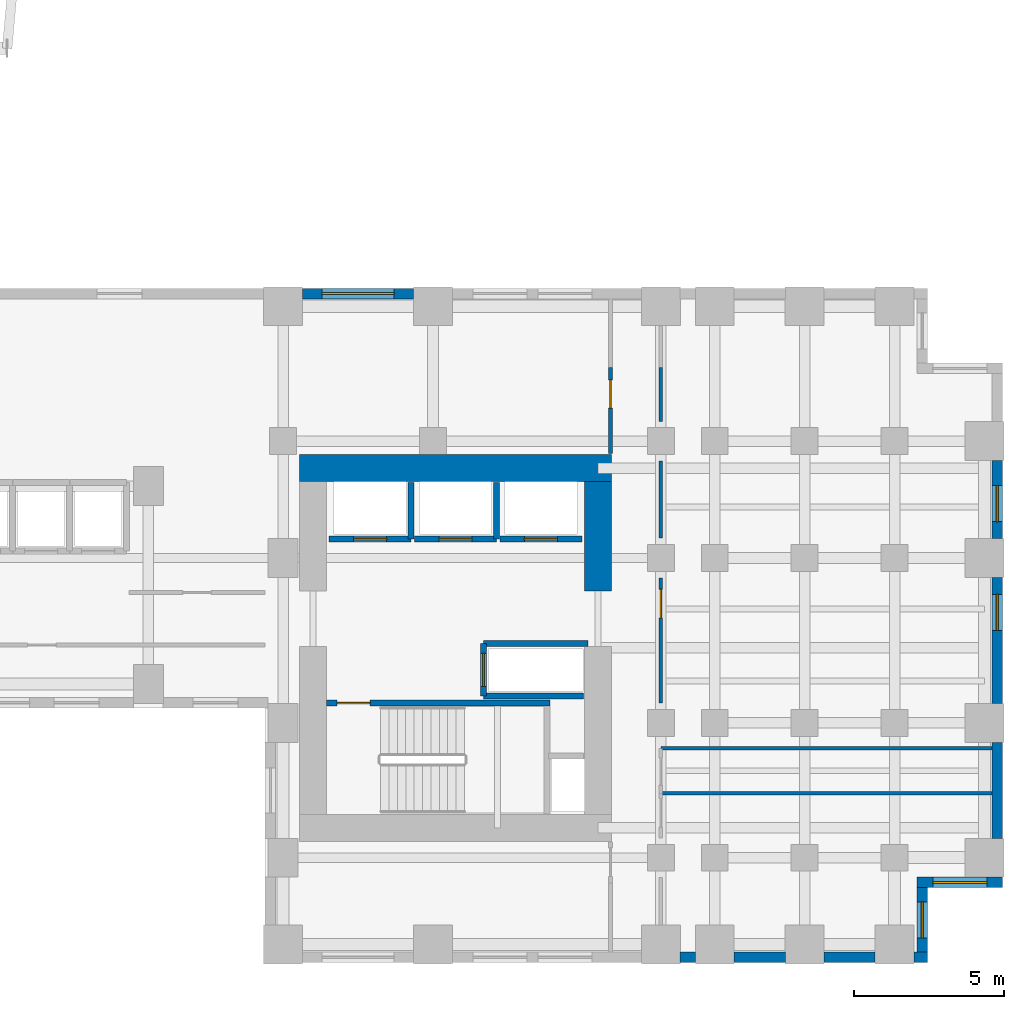
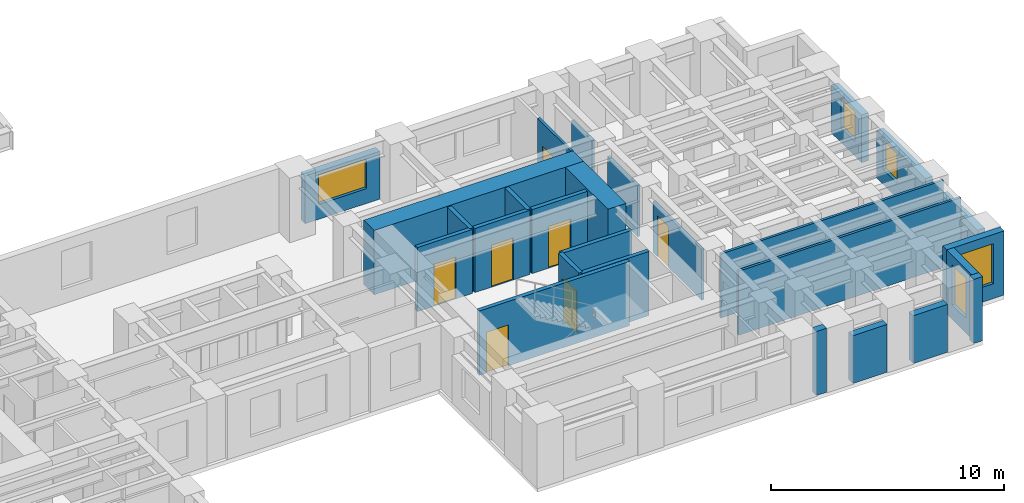
# One storey, part 9 of 13: 27 walls, 7 doors, 5 windows, 12 openings.
"""IFC4 building model written with IfcOpenShell, lengths in metres."""

from ifc_helpers import new_model, si_unit, direction, frame, frame_2d, origin, place, context, subcontext, project, spatial, rectangle, extrude, source, transform, mapped, material, layer, layer_set, type_object, element, fill, save


model = new_model("IFC4")

# Units and contexts
model_context = context("Model", 3, precision=1e-05, world=origin(), true_north=direction((0.0, 1.0)))
body_context = subcontext(model_context, "Body", "Model", "MODEL_VIEW")
ifc_project = project(units=[si_unit("LENGTHUNIT", "METRE"), si_unit("AREAUNIT", "SQUARE_METRE"), si_unit("VOLUMEUNIT", "CUBIC_METRE"), si_unit("PLANEANGLEUNIT", "RADIAN"), si_unit("MASSUNIT", "GRAM", prefix="KILO")], contexts=[model_context])

# Site, building, storey
site_placement = place(None, origin())
site = spatial("IfcSite", under=ifc_project, at=site_placement, CompositionType="ELEMENT")
building_placement = place(site_placement, origin())
building = spatial("IfcBuilding", under=site, at=building_placement, Name="Kharzan Plaza Tower", CompositionType="ELEMENT")
storey_placement = place(building_placement, frame((0.0, 0.0, 65.699951171875)))
storey = spatial("IfcBuildingStorey", under=building, at=storey_placement, Name="L17", CompositionType="ELEMENT", Elevation=65.699951171875)

# Wall, opening, window
ifc_material_1 = material(Name="Concrete C40/50", Category="concrete")
ifc_layer_1 = layer(ifc_material_1, 0.35009765625)
ifc_layer_set_1 = layer_set([ifc_layer_1], Name="Concrete C40/50")
wall_type_1 = type_object("IfcWallType", Name="WL-EXT-MAS-Z1", PredefinedType="SOLIDWALL", material=ifc_layer_set_1)
wall_1_placement = place(storey_placement, frame((56.324951171875, 0.347900390625, 0.0), z_axis=(0.0, 0.0, 1.0), x_axis=(0.0, 1.0, 0.0)))
wall_1 = element("IfcWall", 1, at=wall_1_placement, inside=storey, type_object=wall_type_1, Name="L17 Masonry-Frame Exterior Wall 39", PredefinedType="SOLIDWALL", context=body_context, shape_type="SweptSolid", body=[
    extrude(rectangle(XDim=2.154052734375, YDim=0.35009765625, at=frame_2d((1.0771484375, 0.0))), origin(), (0.0, 0.0, 1.0), 3.364990234375),
])
opening_1_placement = place(wall_1_placement, frame((0.47705078125, 0.0, 0.780029296875)))
opening_1 = element("IfcOpeningElement", 2, at=opening_1_placement, cuts=wall_1, Name="Opening W3", PredefinedType="OPENING", context=body_context, shape_type="SweptSolid", body=[
    extrude(rectangle(XDim=1.199951171875, YDim=2.10009765625, at=frame_2d((0.60009765625, 1.050048828125))), frame((0.0, 0.18505859375, 0.0), z_axis=(0.0, -1.0, 0.0), x_axis=(1.0, 0.0, 0.0)), (0.0, 0.0, 1.0), 0.3701171875),
])
ifc_material_2 = material(Name="Low-E Double Glazing", Category="glass")
window_type_1 = type_object("IfcWindowType", Name="WN-REC-1200x2100", PartitioningType="SINGLE_PANEL", PredefinedType="WINDOW", material=ifc_material_2)
shared_shape_1 = source(origin(), body_context, "Body", "SweptSolid", [
    extrude(rectangle(XDim=1.199951171875, YDim=2.10009765625, at=frame_2d((0.60009765625, 1.050048828125))), frame((0.0, 0.030029296875, 0.0), z_axis=(0.0, -1.0, 0.0), x_axis=(1.0, 0.0, 0.0)), (0.0, 0.0, 1.0), 0.06005859375),
])
window_1_placement = place(opening_1_placement, origin())
window_1 = element("IfcWindow", 3, at=window_1_placement, inside=storey, type_object=window_type_1, Name="L17 Recessed Solar-Control Window 39-1", OverallHeight=2.10009765625, OverallWidth=1.199951171875, PartitioningType="SINGLE_PANEL", PredefinedType="WINDOW", context=body_context, shape_type="MappedRepresentation", body=[
    mapped(shared_shape_1, transform((0.0, 0.0, 0.0), x_axis=(1.0, 0.0, 0.0), y_axis=(0.0, 1.0, 0.0), z_axis=(0.0, 0.0, 1.0))),
])
fill(opening_1, window_1)

wall_2_placement = place(storey_placement, frame((56.14990234375, 2.675048828125, 0.0), z_axis=(0.0, 0.0, 1.0), x_axis=(1.0, 0.0, 0.0)))
wall_2 = element("IfcWall", 4, at=wall_2_placement, inside=storey, type_object=wall_type_1, Name="L17 Masonry-Frame Exterior Wall 40", PredefinedType="SOLIDWALL", context=body_context, shape_type="SweptSolid", body=[
    extrude(rectangle(XDim=2.85009765625, YDim=0.35009765625, at=frame_2d((1.425048828125, 0.0))), origin(), (0.0, 0.0, 1.0), 3.364990234375),
])
opening_2_placement = place(wall_2_placement, frame((0.52490234375, 0.0, 0.780029296875)))
opening_2 = element("IfcOpeningElement", 5, at=opening_2_placement, cuts=wall_2, Name="Opening W1", PredefinedType="OPENING", context=body_context, shape_type="SweptSolid", body=[
    extrude(rectangle(XDim=1.800048828125, YDim=2.10009765625, at=frame_2d((0.89990234375, 1.050048828125))), frame((0.0, 0.18505859375, 0.0), z_axis=(0.0, -1.0, 0.0), x_axis=(1.0, 0.0, 0.0)), (0.0, 0.0, 1.0), 0.3701171875),
])
window_type_2 = type_object("IfcWindowType", Name="WN-REC-1800x2100", PartitioningType="SINGLE_PANEL", PredefinedType="WINDOW", material=ifc_material_2)
shared_shape_2 = source(origin(), body_context, "Body", "SweptSolid", [
    extrude(rectangle(XDim=1.800048828125, YDim=2.10009765625, at=frame_2d((0.89990234375, 1.050048828125))), frame((0.0, 0.030029296875, 0.0), z_axis=(0.0, -1.0, 0.0), x_axis=(1.0, 0.0, 0.0)), (0.0, 0.0, 1.0), 0.06005859375),
])
window_2_placement = place(opening_2_placement, origin())
window_2 = element("IfcWindow", 6, at=window_2_placement, inside=storey, type_object=window_type_2, Name="L17 Recessed Solar-Control Window 40-1", OverallHeight=2.10009765625, OverallWidth=1.800048828125, PartitioningType="SINGLE_PANEL", PredefinedType="WINDOW", context=body_context, shape_type="MappedRepresentation", body=[
    mapped(shared_shape_2, transform((0.0, 0.0, 0.0), x_axis=(1.0, 0.0, 0.0), y_axis=(0.0, 1.0, 0.0), z_axis=(0.0, 0.0, 1.0))),
])
fill(opening_2, window_2)

wall_3_placement = place(storey_placement, frame((58.824951171875, 8.64794921875, 0.0), z_axis=(0.0, 0.0, 1.0), x_axis=(0.0, 1.0, 0.0)))
wall_3 = element("IfcWall", 7, at=wall_3_placement, inside=storey, type_object=wall_type_1, Name="L17 Masonry-Frame Exterior Wall 42", PredefinedType="SOLIDWALL", context=body_context, shape_type="SweptSolid", body=[
    extrude(rectangle(XDim=4.2041015625, YDim=0.35009765625, at=frame_2d((2.10205078125, 0.0))), origin(), (0.0, 0.0, 1.0), 2.510009765625),
])
opening_3_placement = place(wall_3_placement, frame((2.436767578125, 0.0, 0.780029296875)))
opening_3 = element("IfcOpeningElement", 8, at=opening_3_placement, cuts=wall_3, Name="Opening W3", PredefinedType="OPENING", context=body_context, shape_type="SweptSolid", body=[
    extrude(rectangle(XDim=1.199951171875, YDim=1.550048828125, at=frame_2d((0.60009765625, 0.77490234375))), frame((0.0, 0.18505859375, 0.0), z_axis=(0.0, -1.0, 0.0), x_axis=(1.0, 0.0, 0.0)), (0.0, 0.0, 1.0), 0.3701171875),
])
shared_shape_3 = source(origin(), body_context, "Body", "SweptSolid", [
    extrude(rectangle(XDim=1.199951171875, YDim=1.550048828125, at=frame_2d((0.60009765625, 0.77490234375))), frame((0.0, 0.030029296875, 0.0), z_axis=(0.0, -1.0, 0.0), x_axis=(1.0, 0.0, 0.0)), (0.0, 0.0, 1.0), 0.06005859375),
])
window_3_placement = place(opening_3_placement, origin())
window_3 = element("IfcWindow", 9, at=window_3_placement, inside=storey, type_object=window_type_1, Name="L17 Recessed Solar-Control Window 42-1", OverallHeight=1.550048828125, OverallWidth=1.199951171875, PartitioningType="SINGLE_PANEL", PredefinedType="WINDOW", context=body_context, shape_type="MappedRepresentation", body=[
    mapped(shared_shape_3, transform((0.0, 0.0, 0.0), x_axis=(1.0, 0.0, 0.0), y_axis=(0.0, 1.0, 0.0), z_axis=(0.0, 0.0, 1.0))),
])
fill(opening_3, window_3)

wall_4_placement = place(storey_placement, frame((58.824951171875, 14.14794921875, 0.0), z_axis=(0.0, 0.0, 1.0), x_axis=(0.0, 1.0, 0.0)))
wall_4 = element("IfcWall", 10, at=wall_4_placement, inside=storey, type_object=wall_type_1, Name="L17 Masonry-Frame Exterior Wall 43", PredefinedType="SOLIDWALL", context=body_context, shape_type="SweptSolid", body=[
    extrude(rectangle(XDim=2.60400390625, YDim=0.35009765625, at=frame_2d((1.302001953125, 0.0))), origin(), (0.0, 0.0, 1.0), 2.510009765625),
])
opening_4_placement = place(wall_4_placement, frame((0.5673828125, 0.0, 0.780029296875)))
opening_4 = element("IfcOpeningElement", 11, at=opening_4_placement, cuts=wall_4, Name="Opening W3", PredefinedType="OPENING", context=body_context, shape_type="SweptSolid", body=[
    extrude(rectangle(XDim=1.199951171875, YDim=1.550048828125, at=frame_2d((0.60009765625, 0.77490234375))), frame((0.0, 0.18505859375, 0.0), z_axis=(0.0, -1.0, 0.0), x_axis=(1.0, 0.0, 0.0)), (0.0, 0.0, 1.0), 0.3701171875),
])
window_4_placement = place(opening_4_placement, origin())
window_4 = element("IfcWindow", 12, at=window_4_placement, inside=storey, type_object=window_type_1, Name="L17 Recessed Solar-Control Window 43-1", OverallHeight=1.550048828125, OverallWidth=1.199951171875, PartitioningType="SINGLE_PANEL", PredefinedType="WINDOW", context=body_context, shape_type="MappedRepresentation", body=[
    mapped(shared_shape_3, transform((0.0, 0.0, 0.0), x_axis=(1.0, 0.0, 0.0), y_axis=(0.0, 1.0, 0.0), z_axis=(0.0, 0.0, 1.0))),
])
fill(opening_4, window_4)

wall_5_placement = place(storey_placement, frame((39.35205078125, 22.324951171875, 0.0), z_axis=(0.0, 0.0, 1.0), x_axis=(-1.0, 0.0, 0.0)))
wall_5 = element("IfcWall", 13, at=wall_5_placement, inside=storey, type_object=wall_type_1, Name="L17 Masonry-Frame Exterior Wall 52", PredefinedType="SOLIDWALL", context=body_context, shape_type="SweptSolid", body=[
    extrude(rectangle(XDim=3.7041015625, YDim=0.35009765625, at=frame_2d((1.85205078125, 0.0))), origin(), (0.0, 0.0, 1.0), 2.510009765625),
])
opening_5_placement = place(wall_5_placement, frame((0.652099609375, 0.0, 0.780029296875)))
opening_5 = element("IfcOpeningElement", 14, at=opening_5_placement, cuts=wall_5, Name="Opening W2", PredefinedType="OPENING", context=body_context, shape_type="SweptSolid", body=[
    extrude(rectangle(XDim=2.39990234375, YDim=1.550048828125, at=frame_2d((1.199951171875, 0.77490234375))), frame((0.0, 0.18505859375, 0.0), z_axis=(0.0, -1.0, 0.0), x_axis=(1.0, 0.0, 0.0)), (0.0, 0.0, 1.0), 0.3701171875),
])
window_type_3 = type_object("IfcWindowType", Name="WN-REC-2400x2100", PartitioningType="SINGLE_PANEL", PredefinedType="WINDOW", material=ifc_material_2)
shared_shape_4 = source(origin(), body_context, "Body", "SweptSolid", [
    extrude(rectangle(XDim=2.39990234375, YDim=1.550048828125, at=frame_2d((1.199951171875, 0.77490234375))), frame((0.0, 0.030029296875, 0.0), z_axis=(0.0, -1.0, 0.0), x_axis=(1.0, 0.0, 0.0)), (0.0, 0.0, 1.0), 0.06005859375),
])
window_5_placement = place(opening_5_placement, origin())
window_5 = element("IfcWindow", 15, at=window_5_placement, inside=storey, type_object=window_type_3, Name="L17 Wide Recessed Solar-Control Window 52-1", OverallHeight=1.550048828125, OverallWidth=2.39990234375, PartitioningType="SINGLE_PANEL", PredefinedType="WINDOW", context=body_context, shape_type="MappedRepresentation", body=[
    mapped(shared_shape_4, transform((0.0, 0.0, 0.0), x_axis=(1.0, 0.0, 0.0), y_axis=(0.0, 1.0, 0.0), z_axis=(0.0, 0.0, 1.0))),
])
fill(opening_5, window_5)

# Wall, opening, door
ifc_material_3 = material(Name="Fire-Rated Gypsum Board Partition", Category="gypsum")
ifc_layer_2 = layer(ifc_material_3, 0.125)
ifc_layer_set_2 = layer_set([ifc_layer_2], Name="Fire-Rated Gypsum Board Partition")
wall_type_2 = type_object("IfcWallType", Name="WL-INT-PART-125", PredefinedType="PARTITIONING", material=ifc_layer_set_2)
wall_6_placement = place(storey_placement, frame((47.60009765625, 8.659912109375, 0.0), z_axis=(0.0, 0.0, 1.0), x_axis=(0.0, 1.0, 0.0)))
wall_6 = element("IfcWall", 16, at=wall_6_placement, inside=storey, type_object=wall_type_2, Name="L17 Interior Partition SH-B0W1-S1", PredefinedType="PARTITIONING", context=body_context, shape_type="SweptSolid", body=[
    extrude(rectangle(XDim=4.18017578125, YDim=0.125, at=frame_2d((2.090087890625, 0.0))), origin(), (0.0, 0.0, 1.0), 2.670166015625),
])
opening_6_placement = place(wall_6_placement, frame((2.844970703125, 0.0, 0.0)))
opening_6 = element("IfcOpeningElement", 17, at=opening_6_placement, cuts=wall_6, Name="Opening OD1", PredefinedType="OPENING", context=body_context, shape_type="SweptSolid", body=[
    extrude(rectangle(XDim=0.949951171875, YDim=2.14990234375, at=frame_2d((0.47509765625, 1.074951171875))), frame((0.0, 0.072509765625, 0.0), z_axis=(0.0, -1.0, 0.0), x_axis=(1.0, 0.0, 0.0)), (0.0, 0.0, 1.0), 0.14501953125),
])
ifc_material_4 = material(Name="Acoustic Solid-Core Stained Oak", Category="timber")
door_type_1 = type_object("IfcDoorType", Name="DR-OFF-SINGLE", OperationType="NOTDEFINED", PredefinedType="DOOR", material=ifc_material_4)
shared_shape_5 = source(origin(), body_context, "Body", "SweptSolid", [
    extrude(rectangle(XDim=0.949951171875, YDim=2.14990234375, at=frame_2d((0.47509765625, 1.074951171875))), frame((0.0, 0.02490234375, 0.0), z_axis=(0.0, -1.0, 0.0), x_axis=(1.0, 0.0, 0.0)), (0.0, 0.0, 1.0), 0.050048828125),
])
door_1_placement = place(opening_6_placement, origin())
door_1 = element("IfcDoor", 18, at=door_1_placement, inside=storey, type_object=door_type_1, Name="L17 Open Engineering Workspace Door", OperationType="SINGLE_SWING_LEFT", OverallHeight=2.14990234375, OverallWidth=0.949951171875, PredefinedType="DOOR", context=body_context, shape_type="MappedRepresentation", body=[
    mapped(shared_shape_5, transform((0.0, 0.0, 0.0), x_axis=(1.0, 0.0, 0.0), y_axis=(0.0, 1.0, 0.0), z_axis=(0.0, 0.0, 1.0))),
])
fill(opening_6, door_1)

wall_7_placement = place(storey_placement, frame((45.919921875, 16.97998046875, 0.0), z_axis=(0.0, 0.0, 1.0), x_axis=(0.0, 1.0, 0.0)))
wall_7 = element("IfcWall", 19, at=wall_7_placement, inside=storey, type_object=wall_type_2, Name="L17 Interior Partition SH-RBNE", PredefinedType="PARTITIONING", context=body_context, shape_type="SweptSolid", body=[
    extrude(rectangle(XDim=2.8701171875, YDim=0.125, at=frame_2d((1.43505859375, 0.0))), origin(), (0.0, 0.0, 1.0), 3.364990234375),
])
opening_7_placement = place(wall_7_placement, frame((1.51708984375, 0.0, 0.0)))
opening_7 = element("IfcOpeningElement", 20, at=opening_7_placement, cuts=wall_7, Name="Opening OD1", PredefinedType="OPENING", context=body_context, shape_type="SweptSolid", body=[
    extrude(rectangle(XDim=0.949951171875, YDim=2.14990234375, at=frame_2d((0.47509765625, 1.074951171875))), frame((0.0, 0.072509765625, 0.0), z_axis=(0.0, -1.0, 0.0), x_axis=(1.0, 0.0, 0.0)), (0.0, 0.0, 1.0), 0.14501953125),
])
door_2_placement = place(opening_7_placement, origin())
door_2 = element("IfcDoor", 21, at=door_2_placement, inside=storey, type_object=door_type_1, Name="L17 Wing B North Studio Door", OperationType="SINGLE_SWING_LEFT", OverallHeight=2.14990234375, OverallWidth=0.949951171875, PredefinedType="DOOR", context=body_context, shape_type="MappedRepresentation", body=[
    mapped(shared_shape_5, transform((0.0, 0.0, 0.0), x_axis=(1.0, 0.0, 0.0), y_axis=(0.0, 1.0, 0.0), z_axis=(0.0, 0.0, 1.0))),
])
fill(opening_7, door_2)

ifc_layer_3 = layer(ifc_material_1, 0.199951171875)
ifc_layer_set_3 = layer_set([ifc_layer_3], Name="Concrete C40/50")
wall_type_3 = type_object("IfcWallType", Name="WL-INT-SHAFT-200", PredefinedType="PARTITIONING", material=ifc_layer_set_3)
wall_8_placement = place(storey_placement, frame((36.530029296875, 14.1298828125, 0.0), z_axis=(0.0, 0.0, 1.0), x_axis=(1.0, 0.0, 0.0)))
wall_8 = element("IfcWall", 22, at=wall_8_placement, inside=storey, type_object=wall_type_3, Name="L17 Interior Partition SHF-PL-L1-S", PredefinedType="PARTITIONING", context=body_context, shape_type="SweptSolid", body=[
    extrude(rectangle(XDim=2.739990234375, YDim=0.199951171875, at=frame_2d((1.3701171875, 0.0))), origin(), (0.0, 0.0, 1.0), 3.364990234375),
])
opening_8_placement = place(wall_8_placement, frame((0.820068359375, 0.0, 0.0)))
opening_8 = element("IfcOpeningElement", 23, at=opening_8_placement, cuts=wall_8, Name="Opening LD", PredefinedType="OPENING", context=body_context, shape_type="SweptSolid", body=[
    extrude(rectangle(XDim=1.10009765625, YDim=2.199951171875, at=frame_2d((0.550048828125, 1.10009765625))), frame((0.0, 0.10986328125, 0.0), z_axis=(0.0, -1.0, 0.0), x_axis=(1.0, 0.0, 0.0)), (0.0, 0.0, 1.0), 0.219970703125),
])
ifc_material_5 = material(Name="Brushed Stainless Steel", Category="steel")
door_type_2 = type_object("IfcDoorType", Name="DR-LIFT-SLIDE", OperationType="SLIDING_TO_LEFT", PredefinedType="DOOR", material=ifc_material_5)
shared_shape_6 = source(origin(), body_context, "Body", "SweptSolid", [
    extrude(rectangle(XDim=1.10009765625, YDim=2.199951171875, at=frame_2d((0.550048828125, 1.10009765625))), frame((0.0, 0.02490234375, 0.0), z_axis=(0.0, -1.0, 0.0), x_axis=(1.0, 0.0, 0.0)), (0.0, 0.0, 1.0), 0.050048828125),
])
door_3_placement = place(opening_8_placement, origin())
door_3 = element("IfcDoor", 24, at=door_3_placement, inside=storey, type_object=door_type_2, Name="L17 Low-Rise Passenger Lift PL-L1 Sliding Landing Door", OperationType="SLIDING_TO_LEFT", OverallHeight=2.199951171875, OverallWidth=1.10009765625, PredefinedType="DOOR", context=body_context, shape_type="MappedRepresentation", body=[
    mapped(shared_shape_6, transform((0.0, 0.0, 0.0), x_axis=(1.0, 0.0, 0.0), y_axis=(0.0, 1.0, 0.0), z_axis=(0.0, 0.0, 1.0))),
])
fill(opening_8, door_3)

wall_9_placement = place(storey_placement, frame((39.3798828125, 14.1298828125, 0.0), z_axis=(0.0, 0.0, 1.0), x_axis=(1.0, 0.0, 0.0)))
wall_9 = element("IfcWall", 25, at=wall_9_placement, inside=storey, type_object=wall_type_3, Name="L17 Interior Partition SHF-PL-L2-S", PredefinedType="PARTITIONING", context=body_context, shape_type="SweptSolid", body=[
    extrude(rectangle(XDim=2.740234375, YDim=0.199951171875, at=frame_2d((1.3701171875, 0.0))), origin(), (0.0, 0.0, 1.0), 3.364990234375),
])
opening_9_placement = place(wall_9_placement, frame((0.820068359375, 0.0, 0.0)))
opening_9 = element("IfcOpeningElement", 26, at=opening_9_placement, cuts=wall_9, Name="Opening LD", PredefinedType="OPENING", context=body_context, shape_type="SweptSolid", body=[
    extrude(rectangle(XDim=1.10009765625, YDim=2.199951171875, at=frame_2d((0.550048828125, 1.10009765625))), frame((0.0, 0.10986328125, 0.0), z_axis=(0.0, -1.0, 0.0), x_axis=(1.0, 0.0, 0.0)), (0.0, 0.0, 1.0), 0.219970703125),
])
door_4_placement = place(opening_9_placement, origin())
door_4 = element("IfcDoor", 27, at=door_4_placement, inside=storey, type_object=door_type_2, Name="L17 Low-Rise Passenger Lift PL-L2 Sliding Landing Door", OperationType="SLIDING_TO_LEFT", OverallHeight=2.199951171875, OverallWidth=1.10009765625, PredefinedType="DOOR", context=body_context, shape_type="MappedRepresentation", body=[
    mapped(shared_shape_6, transform((0.0, 0.0, 0.0), x_axis=(1.0, 0.0, 0.0), y_axis=(0.0, 1.0, 0.0), z_axis=(0.0, 0.0, 1.0))),
])
fill(opening_9, door_4)

wall_10_placement = place(storey_placement, frame((42.22998046875, 14.1298828125, 0.0), z_axis=(0.0, 0.0, 1.0), x_axis=(1.0, 0.0, 0.0)))
wall_10 = element("IfcWall", 28, at=wall_10_placement, inside=storey, type_object=wall_type_3, Name="L17 Interior Partition SHF-PL-L3-S", PredefinedType="PARTITIONING", context=body_context, shape_type="SweptSolid", body=[
    extrude(rectangle(XDim=2.739990234375, YDim=0.199951171875, at=frame_2d((1.3701171875, 0.0))), origin(), (0.0, 0.0, 1.0), 3.364990234375),
])
opening_10_placement = place(wall_10_placement, frame((0.820068359375, 0.0, 0.0)))
opening_10 = element("IfcOpeningElement", 29, at=opening_10_placement, cuts=wall_10, Name="Opening LD", PredefinedType="OPENING", context=body_context, shape_type="SweptSolid", body=[
    extrude(rectangle(XDim=1.10009765625, YDim=2.199951171875, at=frame_2d((0.550048828125, 1.10009765625))), frame((0.0, 0.10986328125, 0.0), z_axis=(0.0, -1.0, 0.0), x_axis=(1.0, 0.0, 0.0)), (0.0, 0.0, 1.0), 0.219970703125),
])
door_5_placement = place(opening_10_placement, origin())
door_5 = element("IfcDoor", 30, at=door_5_placement, inside=storey, type_object=door_type_2, Name="L17 Low-Rise Passenger Lift PL-L3 Sliding Landing Door", OperationType="SLIDING_TO_LEFT", OverallHeight=2.199951171875, OverallWidth=1.10009765625, PredefinedType="DOOR", context=body_context, shape_type="MappedRepresentation", body=[
    mapped(shared_shape_6, transform((0.0, 0.0, 0.0), x_axis=(1.0, 0.0, 0.0), y_axis=(0.0, 1.0, 0.0), z_axis=(0.0, 0.0, 1.0))),
])
fill(opening_10, door_5)

wall_11_placement = place(storey_placement, frame((41.679931640625, 8.89990234375, 0.0), z_axis=(0.0, 0.0, 1.0), x_axis=(0.0, 1.0, 0.0)))
wall_11 = element("IfcWall", 31, at=wall_11_placement, inside=storey, type_object=wall_type_3, Name="L17 Interior Partition SHF-SVL-2-W", PredefinedType="PARTITIONING", context=body_context, shape_type="SweptSolid", body=[
    extrude(rectangle(XDim=1.739990234375, YDim=0.199951171875, at=frame_2d((0.8701171875, 0.0))), origin(), (0.0, 0.0, 1.0), 3.364990234375),
])
opening_11_placement = place(wall_11_placement, frame((0.320068359375, 0.0, 0.0)))
opening_11 = element("IfcOpeningElement", 32, at=opening_11_placement, cuts=wall_11, Name="Opening LD", PredefinedType="OPENING", context=body_context, shape_type="SweptSolid", body=[
    extrude(rectangle(XDim=1.10009765625, YDim=2.199951171875, at=frame_2d((0.550048828125, 1.10009765625))), frame((0.0, 0.10986328125, 0.0), z_axis=(0.0, -1.0, 0.0), x_axis=(1.0, 0.0, 0.0)), (0.0, 0.0, 1.0), 0.219970703125),
])
door_6_placement = place(opening_11_placement, origin())
door_6 = element("IfcDoor", 33, at=door_6_placement, inside=storey, type_object=door_type_2, Name="L17 Service Lift SVL-2 Sliding Landing Door", OperationType="SLIDING_TO_LEFT", OverallHeight=2.199951171875, OverallWidth=1.10009765625, PredefinedType="DOOR", context=body_context, shape_type="MappedRepresentation", body=[
    mapped(shared_shape_6, transform((0.0, 0.0, 0.0), x_axis=(1.0, 0.0, 0.0), y_axis=(0.0, 1.0, 0.0), z_axis=(0.0, 0.0, 1.0))),
])
fill(opening_11, door_6)

ifc_material_6 = material(Name="Concrete C50/60", Category="concrete")
ifc_layer_4 = layer(ifc_material_6, 0.199951171875)
ifc_layer_set_4 = layer_set([ifc_layer_4], Name="Concrete C50/60")
wall_type_4 = type_object("IfcWallType", Name="WL-SHAFT-RC200", PredefinedType="SHEAR", material=ifc_layer_set_4)
wall_12_placement = place(storey_placement, frame((36.451904296875, 8.655029296875, 0.0), z_axis=(0.0, 0.0, 1.0), x_axis=(1.0, 0.0, 0.0)))
wall_12 = element("IfcWall", 34, at=wall_12_placement, inside=storey, type_object=wall_type_4, Name="L17 Stair ST-3 North RC Shaft Wall", PredefinedType="SHEAR", context=body_context, shape_type="SweptSolid", body=[
    extrude(rectangle(XDim=7.453125, YDim=0.199951171875, at=frame_2d((3.7265625, 0.0))), origin(), (0.0, 0.0, 1.0), 3.380126953125),
])
opening_12_placement = place(wall_12_placement, frame((0.35009765625, 0.0, 0.0)))
opening_12 = element("IfcOpeningElement", 35, at=opening_12_placement, cuts=wall_12, Name="Opening SD1", PredefinedType="OPENING", context=body_context, shape_type="SweptSolid", body=[
    extrude(rectangle(XDim=1.10009765625, YDim=2.14990234375, at=frame_2d((0.550048828125, 1.074951171875))), frame((0.0, 0.10986328125, 0.0), z_axis=(0.0, -1.0, 0.0), x_axis=(1.0, 0.0, 0.0)), (0.0, 0.0, 1.0), 0.219970703125),
])
ifc_material_7 = material(Name="Fire-Rated Hollow Galvanized Steel", Category="steel")
door_type_3 = type_object("IfcDoorType", Name="DR-STAIR-FD120", OperationType="NOTDEFINED", PredefinedType="DOOR", material=ifc_material_7)
shared_shape_7 = source(origin(), body_context, "Body", "SweptSolid", [
    extrude(rectangle(XDim=1.10009765625, YDim=2.14990234375, at=frame_2d((0.550048828125, 1.074951171875))), frame((0.0, 0.02490234375, 0.0), z_axis=(0.0, -1.0, 0.0), x_axis=(1.0, 0.0, 0.0)), (0.0, 0.0, 1.0), 0.050048828125),
])
door_7_placement = place(opening_12_placement, origin())
door_7 = element("IfcDoor", 36, at=door_7_placement, inside=storey, type_object=door_type_3, Name="L17 Stair ST-3 Fire Exit Door", OperationType="SINGLE_SWING_RIGHT", OverallHeight=2.14990234375, OverallWidth=1.10009765625, PredefinedType="DOOR", context=body_context, shape_type="MappedRepresentation", body=[
    mapped(shared_shape_7, transform((0.0, 0.0, 0.0), x_axis=(1.0, 0.0, 0.0), y_axis=(0.0, 1.0, 0.0), z_axis=(0.0, 0.0, 1.0))),
])
fill(opening_12, door_7)

# Walls
shared_shape_8 = source(origin(), body_context, "Body", "SweptSolid", [
    extrude(rectangle(XDim=0.50390625, YDim=0.35009765625, at=frame_2d((0.251953125, 0.0))), origin(), (0.0, 0.0, 1.0), 3.364990234375),
])
wall_13_placement = place(storey_placement, frame((48.248046875, 0.175048828125, 0.0), z_axis=(0.0, 0.0, 1.0), x_axis=(1.0, 0.0, 0.0)))
element("IfcWall", 37, at=wall_13_placement, inside=storey, type_object=wall_type_1, Name="L17 Masonry-Frame Exterior Wall 35", PredefinedType="SOLIDWALL", context=body_context, shape_type="MappedRepresentation", body=[
    mapped(shared_shape_8, transform((0.0, 0.0, 0.0), x_axis=(1.0, 0.0, 0.0), y_axis=(0.0, 1.0, 0.0), z_axis=(0.0, 0.0, 1.0))),
])
shared_shape_9 = source(origin(), body_context, "Body", "SweptSolid", [
    extrude(rectangle(XDim=1.703857421875, YDim=0.35009765625, at=frame_2d((0.85205078125, 0.0))), origin(), (0.0, 0.0, 1.0), 2.510009765625),
])
for number, where, z_axis, x_axis, name in (
    (38, (50.048095703125, 0.175048828125, 0.0), (0.0, 0.0, 1.0), (1.0, 0.0, 0.0), "L17 Masonry-Frame Exterior Wall 36"),
    (39, (53.048095703125, 0.175048828125, 0.0), (0.0, 0.0, 1.0), (1.0, 0.0, 0.0), "L17 Masonry-Frame Exterior Wall 37"),
):
    element("IfcWall", number, at=place(storey_placement, frame(where, z_axis=z_axis, x_axis=x_axis)), inside=storey, type_object=wall_type_1, Name=name, PredefinedType="SOLIDWALL", context=body_context, shape_type="MappedRepresentation", body=[
        mapped(shared_shape_9, transform((0.0, 0.0, 0.0), x_axis=(1.0, 0.0, 0.0), y_axis=(0.0, 1.0, 0.0), z_axis=(0.0, 0.0, 1.0))),
    ])
shared_shape_10 = source(origin(), body_context, "Body", "SweptSolid", [
    extrude(rectangle(XDim=0.451904296875, YDim=0.35009765625, at=frame_2d((0.22607421875, 0.0))), origin(), (0.0, 0.0, 1.0), 3.364990234375),
])
wall_14_placement = place(storey_placement, frame((56.048095703125, 0.175048828125, 0.0), z_axis=(0.0, 0.0, 1.0), x_axis=(1.0, 0.0, 0.0)))
element("IfcWall", 40, at=wall_14_placement, inside=storey, type_object=wall_type_1, Name="L17 Masonry-Frame Exterior Wall 38", PredefinedType="SOLIDWALL", context=body_context, shape_type="MappedRepresentation", body=[
    mapped(shared_shape_10, transform((0.0, 0.0, 0.0), x_axis=(1.0, 0.0, 0.0), y_axis=(0.0, 1.0, 0.0), z_axis=(0.0, 0.0, 1.0))),
])
shared_shape_11 = source(origin(), body_context, "Body", "SweptSolid", [
    extrude(rectangle(XDim=3.2041015625, YDim=0.35009765625, at=frame_2d((1.60205078125, 0.0))), origin(), (0.0, 0.0, 1.0), 2.510009765625),
])
wall_15_placement = place(storey_placement, frame((58.824951171875, 4.14794921875, 0.0), z_axis=(0.0, 0.0, 1.0), x_axis=(0.0, 1.0, 0.0)))
element("IfcWall", 41, at=wall_15_placement, inside=storey, type_object=wall_type_1, Name="L17 Masonry-Frame Exterior Wall 41", PredefinedType="SOLIDWALL", context=body_context, shape_type="MappedRepresentation", body=[
    mapped(shared_shape_11, transform((0.0, 0.0, 0.0), x_axis=(1.0, 0.0, 0.0), y_axis=(0.0, 1.0, 0.0), z_axis=(0.0, 0.0, 1.0))),
])
shared_shape_12 = source(origin(), body_context, "Body", "SweptSolid", [
    extrude(rectangle(XDim=11.0478515625, YDim=0.125, at=frame_2d((5.52392578125, 0.0))), origin(), (0.0, 0.0, 1.0), 3.364990234375),
])
for number, where, z_axis, x_axis, name in (
    (42, (47.60009765625, 5.64990234375, 0.0), (0.0, 0.0, 1.0), (1.0, 0.0, 0.0), "L17 Interior Partition SH-B0H1"),
    (43, (47.60009765625, 7.14990234375, 0.0), (0.0, 0.0, 1.0), (1.0, 0.0, 0.0), "L17 Interior Partition SH-B0H2"),
):
    element("IfcWall", number, at=place(storey_placement, frame(where, z_axis=z_axis, x_axis=x_axis)), inside=storey, type_object=wall_type_2, Name=name, PredefinedType="PARTITIONING", context=body_context, shape_type="MappedRepresentation", body=[
        mapped(shared_shape_12, transform((0.0, 0.0, 0.0), x_axis=(1.0, 0.0, 0.0), y_axis=(0.0, 1.0, 0.0), z_axis=(0.0, 0.0, 1.0))),
    ])
shared_shape_13 = source(origin(), body_context, "Body", "SweptSolid", [
    extrude(rectangle(XDim=1.89013671875, YDim=0.199951171875, at=frame_2d((0.945068359375, 0.0))), origin(), (0.0, 0.0, 1.0), 3.364990234375),
])
for number, where, z_axis, x_axis, name in (
    (44, (39.27001953125, 14.1298828125, 0.0), (0.0, 0.0, 1.0), (0.0, 1.0, 0.0), "L17 Interior Partition SHF-PL-L1-E"),
    (45, (42.1201171875, 14.1298828125, 0.0), (0.0, 0.0, 1.0), (0.0, 1.0, 0.0), "L17 Interior Partition SHF-PL-L2-E"),
):
    element("IfcWall", number, at=place(storey_placement, frame(where, z_axis=z_axis, x_axis=x_axis)), inside=storey, type_object=wall_type_3, Name=name, PredefinedType="PARTITIONING", context=body_context, shape_type="MappedRepresentation", body=[
        mapped(shared_shape_13, transform((0.0, 0.0, 0.0), x_axis=(1.0, 0.0, 0.0), y_axis=(0.0, 1.0, 0.0), z_axis=(0.0, 0.0, 1.0))),
    ])
shared_shape_14 = source(origin(), body_context, "Body", "SweptSolid", [
    extrude(rectangle(XDim=3.489990234375, YDim=0.199951171875, at=frame_2d((1.7451171875, 0.0))), origin(), (0.0, 0.0, 1.0), 3.364990234375),
])
wall_16_placement = place(storey_placement, frame((41.679931640625, 10.639892578125, 0.0), z_axis=(0.0, 0.0, 1.0), x_axis=(1.0, 0.0, 0.0)))
element("IfcWall", 46, at=wall_16_placement, inside=storey, type_object=wall_type_3, Name="L17 Interior Partition SHF-SVL-2-N", PredefinedType="PARTITIONING", context=body_context, shape_type="MappedRepresentation", body=[
    mapped(shared_shape_14, transform((0.0, 0.0, 0.0), x_axis=(1.0, 0.0, 0.0), y_axis=(0.0, 1.0, 0.0), z_axis=(0.0, 0.0, 1.0))),
])
shared_shape_15 = source(origin(), body_context, "Body", "SweptSolid", [
    extrude(rectangle(XDim=3.340087890625, YDim=0.199951171875, at=frame_2d((1.669921875, 0.0))), origin(), (0.0, 0.0, 1.0), 3.364990234375),
])
wall_17_placement = place(storey_placement, frame((41.679931640625, 8.89990234375, 0.0), z_axis=(0.0, 0.0, 1.0), x_axis=(1.0, 0.0, 0.0)))
element("IfcWall", 47, at=wall_17_placement, inside=storey, type_object=wall_type_3, Name="L17 Interior Partition SHF-SVL-2-S", PredefinedType="PARTITIONING", context=body_context, shape_type="MappedRepresentation", body=[
    mapped(shared_shape_15, transform((0.0, 0.0, 0.0), x_axis=(1.0, 0.0, 0.0), y_axis=(0.0, 1.0, 0.0), z_axis=(0.0, 0.0, 1.0))),
])
ifc_material_8 = material(Name="Concrete C60/75", Category="concrete")
ifc_layer_5 = layer(ifc_material_8, 0.89990234375)
ifc_layer_set_5 = layer_set([ifc_layer_5], Name="Concrete C60/75")
wall_type_5 = type_object("IfcWallType", Name="WL-CORE-900", PredefinedType="SHEAR", material=ifc_layer_set_5)
shared_shape_16 = source(origin(), body_context, "Body", "SweptSolid", [
    extrude(rectangle(XDim=3.650146484375, YDim=0.89990234375, at=frame_2d((1.8251953125, 0.0))), origin(), (0.0, 0.0, 1.0), 3.380126953125),
])
wall_18_placement = place(storey_placement, frame((45.5, 12.39990234375, 0.0), z_axis=(0.0, 0.0, 1.0), x_axis=(0.0, 1.0, 0.0)))
element("IfcWall", 48, at=wall_18_placement, inside=storey, type_object=wall_type_5, Name="L17 CORE-B east shear pier 2", PredefinedType="SHEAR", context=body_context, shape_type="MappedRepresentation", body=[
    mapped(shared_shape_16, transform((0.0, 0.0, 0.0), x_axis=(1.0, 0.0, 0.0), y_axis=(0.0, 1.0, 0.0), z_axis=(0.0, 0.0, 1.0))),
])
shared_shape_17 = source(origin(), body_context, "Body", "SweptSolid", [
    extrude(rectangle(XDim=10.39990234375, YDim=0.89990234375, at=frame_2d((5.199951171875, 0.0))), origin(), (0.0, 0.0, 1.0), 3.380126953125),
])
wall_19_placement = place(storey_placement, frame((35.550048828125, 16.5, 0.0), z_axis=(0.0, 0.0, 1.0), x_axis=(1.0, 0.0, 0.0)))
element("IfcWall", 49, at=wall_19_placement, inside=storey, type_object=wall_type_5, Name="L17 CORE-B north RC shear wall", PredefinedType="SHEAR", context=body_context, shape_type="MappedRepresentation", body=[
    mapped(shared_shape_17, transform((0.0, 0.0, 0.0), x_axis=(1.0, 0.0, 0.0), y_axis=(0.0, 1.0, 0.0), z_axis=(0.0, 0.0, 1.0))),
])
shared_shape_18 = source(origin(), body_context, "Body", "SweptSolid", [
    extrude(rectangle(XDim=2.580078125, YDim=0.125, at=frame_2d((1.2900390625, 0.0))), origin(), (0.0, 0.0, 1.0), 2.670166015625),
])
wall_20_placement = place(storey_placement, frame((47.60009765625, 14.159912109375, 0.0), z_axis=(0.0, 0.0, 1.0), x_axis=(0.0, 1.0, 0.0)))
element("IfcWall", 50, at=wall_20_placement, inside=storey, type_object=wall_type_2, Name="L17 Interior Partition SH-B0W1-S2", PredefinedType="PARTITIONING", context=body_context, shape_type="MappedRepresentation", body=[
    mapped(shared_shape_18, transform((0.0, 0.0, 0.0), x_axis=(1.0, 0.0, 0.0), y_axis=(0.0, 1.0, 0.0), z_axis=(0.0, 0.0, 1.0))),
])
shared_shape_19 = source(origin(), body_context, "Body", "SweptSolid", [
    extrude(rectangle(XDim=1.7900390625, YDim=0.125, at=frame_2d((0.89501953125, 0.0))), origin(), (0.0, 0.0, 1.0), 2.670166015625),
])
wall_21_placement = place(storey_placement, frame((47.60009765625, 18.06005859375, 0.0), z_axis=(0.0, 0.0, 1.0), x_axis=(0.0, 1.0, 0.0)))
element("IfcWall", 51, at=wall_21_placement, inside=storey, type_object=wall_type_2, Name="L17 Interior Partition SH-B0W1-S3", PredefinedType="PARTITIONING", context=body_context, shape_type="MappedRepresentation", body=[
    mapped(shared_shape_19, transform((0.0, 0.0, 0.0), x_axis=(1.0, 0.0, 0.0), y_axis=(0.0, 1.0, 0.0), z_axis=(0.0, 0.0, 1.0))),
])

save(model, "model.ifc")
